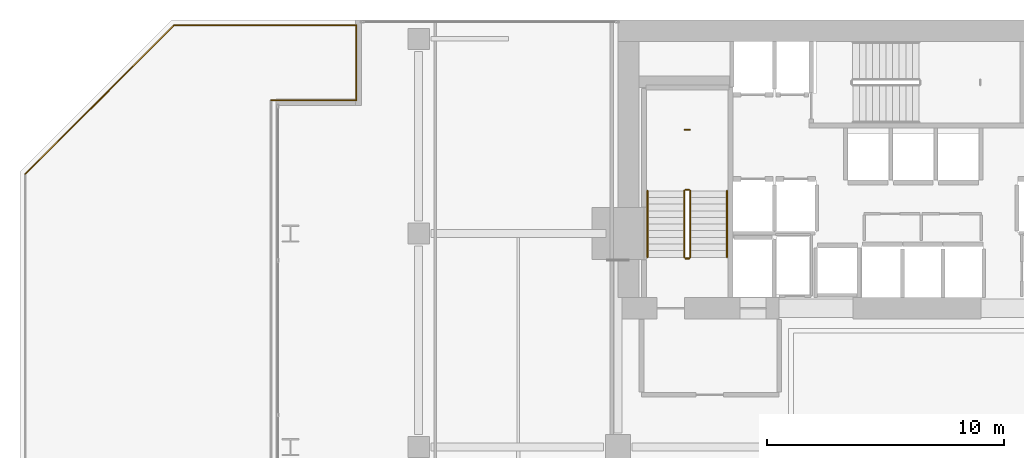
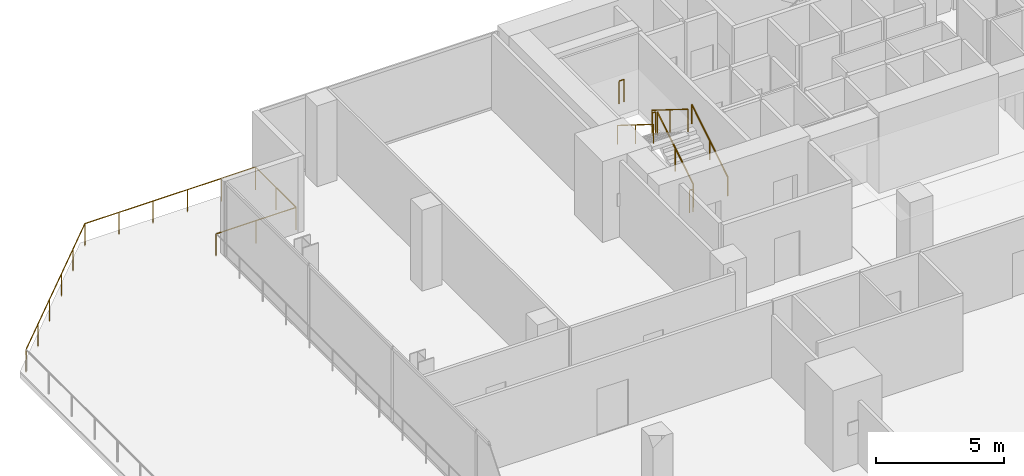
# One storey, part 29 of 31: 11 railings.
"""IFC4 building model written with IfcOpenShell, lengths in metres."""

import ifcopenshell
import ifcopenshell.guid

model = None  # the IFC model being written
_history = None  # IfcOwnerHistory: only IFC2X3 demands one
_inside = {}  # id of a spatial element -> (the spatial element, [elements in it])
_under = {}  # id of a project, library or spatial element -> (it, [spatial elements below it])
_declared = {}  # id of a project -> (the project, [libraries it declares])
_typed = {}  # id of a type object -> (the type object, [elements of that type])
_made_of = {}  # id of a material, layer set ... -> (it, [elements and type objects made of it])


def new_model(schema):
    """Start an empty IFC model of exactly this schema.

    Asked for "IFC4X3", IfcOpenShell would pick the latest addendum, in which some entities
    have other attributes; the version numbers below select the first issue.
    IFC2X3 requires an IfcOwnerHistory on every rooted entity: one is made here for all.
    """
    global model, _history
    if schema == "IFC4X3":
        model = ifcopenshell.file(schema_version=(4, 3, 0, 0))
    else:
        model = ifcopenshell.file(schema=schema)
    _inside.clear()
    _under.clear()
    _declared.clear()
    _typed.clear()
    _made_of.clear()
    _history = None
    if model.schema == "IFC2X3":
        org = make("IfcOrganization", Name="unknown")
        user = make(
            "IfcPersonAndOrganization",
            ThePerson=make("IfcPerson", FamilyName="unknown"),
            TheOrganization=org,
        )
        app = make(
            "IfcApplication",
            ApplicationDeveloper=org,
            Version="unknown",
            ApplicationFullName="unknown",
            ApplicationIdentifier="unknown",
        )
        _history = make(
            "IfcOwnerHistory",
            OwningUser=user,
            OwningApplication=app,
            ChangeAction="ADDED",
            CreationDate=0,
        )
    return model


def make(cls, **values):
    """One entity of the class cls with the attributes given. An attribute that is None is left unset."""
    return model.create_entity(
        cls, **{name: value for name, value in values.items() if value is not None}
    )


def rooted(cls, **values):
    """An entity with a GlobalId (a new one), such as an element, a storey or a relation."""
    return make(cls, GlobalId=ifcopenshell.guid.new(), OwnerHistory=_history, **values)


def si_unit(unit_type, name, prefix=None):
    """IfcSIUnit, for example si_unit("LENGTHUNIT", "METRE", prefix="MILLI")."""
    return make("IfcSIUnit", UnitType=unit_type, Prefix=prefix, Name=name)


def assignment(units):
    """IfcUnitAssignment: the units of a project."""
    return None if units is None else make("IfcUnitAssignment", Units=units)


def point(xyz):
    """IfcCartesianPoint."""
    return None if xyz is None else make("IfcCartesianPoint", Coordinates=xyz)


def direction(xyz):
    """IfcDirection."""
    return None if xyz is None else make("IfcDirection", DirectionRatios=xyz)


def frame(location, z_axis=None, x_axis=None):
    """IfcAxis2Placement3D, a coordinate frame: its origin and axes. An axis left out is left unset."""
    return make(
        "IfcAxis2Placement3D",
        Location=point(location),
        Axis=direction(z_axis),
        RefDirection=direction(x_axis),
    )


def frame_2d(location, x_axis=None):
    """IfcAxis2Placement2D, a coordinate frame in the plane: its origin and x axis."""
    return make(
        "IfcAxis2Placement2D", Location=point(location), RefDirection=direction(x_axis)
    )


def origin():
    """The frame at (0, 0, 0) with its axes left unset."""
    return frame((0.0, 0.0, 0.0))


def origin_2d():
    """The frame at (0, 0) in the plane with its x axis left unset."""
    return frame_2d((0.0, 0.0))


def place(relative_to, where):
    """IfcLocalPlacement: puts the frame where relative to a parent placement (None: the world)."""
    return make(
        "IfcLocalPlacement", PlacementRelTo=relative_to, RelativePlacement=where
    )


def context(
    kind, dimensions, precision=None, world=None, true_north=None, identifier=None
):
    """IfcGeometricRepresentationContext, for example the 3D "Model" context."""
    return make(
        "IfcGeometricRepresentationContext",
        ContextIdentifier=identifier,
        ContextType=kind,
        CoordinateSpaceDimension=dimensions,
        Precision=precision,
        WorldCoordinateSystem=world,
        TrueNorth=true_north,
    )


def subcontext(parent, identifier, kind, view, scale=None):
    """IfcGeometricRepresentationSubContext, for example "Body" below "Model"."""
    return make(
        "IfcGeometricRepresentationSubContext",
        ContextIdentifier=identifier,
        ContextType=kind,
        ParentContext=parent,
        TargetScale=scale,
        TargetView=view,
    )


def project(units=None, contexts=None):
    """IfcProject with its units and contexts."""
    return rooted(
        "IfcProject",
        Name="project",
        RepresentationContexts=contexts,
        UnitsInContext=assignment(units),
    )


def spatial(cls, under=None, at=None, **own):
    """A site, building, storey or space (cls), placed at a placement, below another one or the project."""
    s = rooted(cls, ObjectPlacement=at, **own)
    if under is not None:
        _under.setdefault(under.id(), (under, []))[1].append(s)
    return s


def profile(cls, at=None, kind="AREA", **sizes):
    """A parametric profile (cls). Its sizes go by their IFC names, for example OverallWidth=200.0."""
    return make(cls, ProfileType=kind, Position=at, **sizes)


def circle(**sizes):
    """IfcCircleProfileDef."""
    return profile("IfcCircleProfileDef", **sizes)


def extrude(swept, where, along, depth):
    """IfcExtrudedAreaSolid: the profile swept, set in the frame where, extruded along a direction by depth."""
    return make(
        "IfcExtrudedAreaSolid",
        SweptArea=swept,
        Position=where,
        ExtrudedDirection=direction(along),
        Depth=depth,
    )


def shape(context_of_items, identifier, shape_type, items):
    """IfcShapeRepresentation: the items that make up one representation, for example the "Body"."""
    return make(
        "IfcShapeRepresentation",
        ContextOfItems=context_of_items,
        RepresentationIdentifier=identifier,
        RepresentationType=shape_type,
        Items=items,
    )


def material(Name=None, Category=None):
    """IfcMaterial."""
    return make("IfcMaterial", Name=Name, Category=Category)


def made_of(thing, what):
    """Note that an element or type object is made of a material, layer set ...; save() writes the relation."""
    if what is not None:
        _made_of.setdefault(what.id(), (what, []))[1].append(thing)
    return thing


def type_object(cls, material=None, **own):
    """A type object (cls), such as IfcWallType, which elements share."""
    return made_of(rooted(cls, **own), material)


def element(
    cls,
    number,
    at=None,
    inside=None,
    cuts=None,
    type_object=None,
    material=None,
    context=None,
    identifier="Body",
    shape_type=None,
    held_by="IfcProductDefinitionShape",
    body=None,
    shapes=None,
    **own,
):
    """One element of the class cls, such as IfcWall. Its Tag is "e" and its number.

    at: its placement. inside: the storey or other place that contains it. cuts: it is an
    opening in that element (IfcRelVoidsElement). A single representation is given by context,
    identifier, shape_type and body (its items); several are given by shapes. held_by: the class
    of the entity that holds the representations. save() writes the other relations.
    """
    e = rooted(cls, Tag="e%d" % number, ObjectPlacement=at, **own)
    if body is not None:
        shapes = [shape(context, identifier, shape_type, body)]
    if shapes is not None:
        e.Representation = make(held_by, Representations=shapes)
    if inside is not None:
        _inside.setdefault(inside.id(), (inside, []))[1].append(e)
    if cuts is not None:
        rooted(
            "IfcRelVoidsElement", RelatingBuildingElement=cuts, RelatedOpeningElement=e
        )
    if type_object is not None:
        _typed.setdefault(type_object.id(), (type_object, []))[1].append(e)
    return made_of(e, material)


def aggregate(whole, parts):
    """IfcRelAggregates: a whole, such as a stair, and the parts it consists of."""
    return rooted("IfcRelAggregates", RelatingObject=whole, RelatedObjects=parts)


def save(model, path):
    """Write the relations noted so far, then the file.

    IfcRelAggregates (storeys below a building ...), IfcRelContainedInSpatialStructure (elements
    in a storey), IfcRelDefinesByType, IfcRelAssociatesMaterial and IfcRelDeclares: one each for
    every whole, place, type object, material and project.
    """
    for whole, parts in _under.values():
        aggregate(whole, parts)
    for where, things in _inside.values():
        rooted(
            "IfcRelContainedInSpatialStructure",
            RelatedElements=things,
            RelatingStructure=where,
        )
    for kind, things in _typed.values():
        rooted("IfcRelDefinesByType", RelatedObjects=things, RelatingType=kind)
    for what, things in _made_of.values():
        rooted("IfcRelAssociatesMaterial", RelatedObjects=things, RelatingMaterial=what)
    for by, libraries in _declared.values():
        rooted("IfcRelDeclares", RelatingContext=by, RelatedDefinitions=libraries)
    model.write(path)


model = new_model("IFC4")

# Units and contexts
model_context = context("Model", 3, precision=1e-05, world=origin(), true_north=direction((0.0, 1.0)))
body_context = subcontext(model_context, "Body", "Model", "MODEL_VIEW")
ifc_project = project(units=[si_unit("LENGTHUNIT", "METRE"), si_unit("AREAUNIT", "SQUARE_METRE"), si_unit("VOLUMEUNIT", "CUBIC_METRE"), si_unit("PLANEANGLEUNIT", "RADIAN"), si_unit("MASSUNIT", "GRAM", prefix="KILO")], contexts=[model_context])

# Site, building, storey
site_placement = place(None, origin())
site = spatial("IfcSite", under=ifc_project, at=site_placement, CompositionType="ELEMENT")
building_placement = place(site_placement, origin())
building = spatial("IfcBuilding", under=site, at=building_placement, Name="Maruvema Waterfront Hotel and Observation Tower", CompositionType="ELEMENT")
storey_placement = place(building_placement, frame((0.0, 0.0, 26.949951171875)))
storey = spatial("IfcBuildingStorey", under=building, at=storey_placement, Name="L05", CompositionType="ELEMENT", Elevation=26.949951171875)

# Railings
ifc_material_1 = material(Name="Brushed stainless steel Grade 316", Category="steel")
railing_type_1 = type_object("IfcRailingType", Name="Ramp Continuous Wall Handrail 920 mm", PredefinedType="HANDRAIL", material=ifc_material_1)
railing_1_placement = place(storey_placement, frame((29.800048828125, 44.0, 0.175048828125)))
element("IfcRailing", 1, at=railing_1_placement, inside=storey, type_object=railing_type_1, Name="L05 ST-01 stair handrail 1", PredefinedType="HANDRAIL", context=body_context, shape_type="SweptSolid", body=[
    extrude(circle(Radius=0.02392578125, at=origin_2d()), frame((0.0, 0.0, 0.89599609375), z_axis=(0.0, 0.848002457836, 0.529992293815), x_axis=(-1.0, 0.0, 0.0)), (0.0, 0.0, 1.0), 3.302001953125),
    extrude(circle(Radius=0.02099609375, at=origin_2d()), origin(), (0.0, 0.0, 1.0), 0.871826171875),
    extrude(circle(Radius=0.02099609375, at=origin_2d()), frame((0.0, 1.39990234375, 0.875)), (0.0, 0.0, 1.0), 0.871826171875),
    extrude(circle(Radius=0.02099609375, at=origin_2d()), frame((0.0, 2.800048828125, 1.75)), (0.0, 0.0, 1.0), 0.871826171875),
])
railing_2_placement = place(storey_placement, frame((26.449951171875, 46.800048828125, 2.10009765625)))
element("IfcRailing", 2, at=railing_2_placement, inside=storey, type_object=railing_type_1, Name="L05 ST-01 stair handrail 2", PredefinedType="HANDRAIL", context=body_context, shape_type="SweptSolid", body=[
    extrude(circle(Radius=0.02392578125, at=origin_2d()), frame((0.0, 0.0, 0.89599609375), z_axis=(0.0, -0.848002457836, 0.529992293815), x_axis=(1.0, 0.0, 0.0)), (0.0, 0.0, 1.0), 3.302001953125),
    extrude(circle(Radius=0.02099609375, at=origin_2d()), origin(), (0.0, 0.0, 1.0), 0.871826171875),
    extrude(circle(Radius=0.02099609375, at=origin_2d()), frame((0.0, -1.39990234375, 0.875)), (0.0, 0.0, 1.0), 0.871826171875),
    extrude(circle(Radius=0.02099609375, at=origin_2d()), frame((0.0, -2.800048828125, 1.75)), (0.0, 0.0, 1.0), 0.871826171875),
])
ifc_material_2 = material(Name="Brushed stainless steel Grade 316", Category="steel")
railing_type_2 = type_object("IfcRailingType", Name="Ramp and Terrace Guard Balustrade 1100 mm", PredefinedType="BALUSTRADE", material=ifc_material_2)
railing_3_placement = place(storey_placement, frame((28.25, 44.0, 0.175048828125)))
element("IfcRailing", 3, at=railing_3_placement, inside=storey, type_object=railing_type_2, Name="L05 ST-01 stair guard 1", PredefinedType="BALUSTRADE", context=body_context, shape_type="SweptSolid", body=[
    extrude(circle(Radius=0.02392578125, at=origin_2d()), frame((0.0, 0.0, 1.076171875), z_axis=(0.0, 0.848002457836, 0.529992293815), x_axis=(-1.0, 0.0, 0.0)), (0.0, 0.0, 1.0), 3.302001953125),
    extrude(circle(Radius=0.02099609375, at=origin_2d()), origin(), (0.0, 0.0, 1.0), 1.052001953125),
    extrude(circle(Radius=0.02099609375, at=origin_2d()), frame((0.0, 1.39990234375, 0.875)), (0.0, 0.0, 1.0), 1.052001953125),
    extrude(circle(Radius=0.02099609375, at=origin_2d()), frame((0.0, 2.800048828125, 1.75)), (0.0, 0.0, 1.0), 1.052001953125),
])
railing_4_placement = place(storey_placement, frame((28.199951171875, 46.85009765625, 1.925048828125)))
element("IfcRailing", 4, at=railing_4_placement, inside=storey, type_object=railing_type_2, Name="L05 ST-01 stair guard 2", PredefinedType="BALUSTRADE", context=body_context, shape_type="SweptSolid", body=[
    extrude(circle(Radius=0.02392578125, at=origin_2d()), frame((0.0, 0.0, 1.076171875), z_axis=(-1.0, 0.0, 0.0), x_axis=(0.0, -1.0, 0.0)), (0.0, 0.0, 1.0), 0.14990234375),
    extrude(circle(Radius=0.02099609375, at=origin_2d()), origin(), (0.0, 0.0, 1.0), 1.052001953125),
    extrude(circle(Radius=0.02099609375, at=origin_2d()), frame((-0.14990234375, 0.0, 0.0)), (0.0, 0.0, 1.0), 1.052001953125),
])
railing_5_placement = place(storey_placement, frame((28.0, 46.800048828125, 2.10009765625)))
element("IfcRailing", 5, at=railing_5_placement, inside=storey, type_object=railing_type_2, Name="L05 ST-01 stair guard 3", PredefinedType="BALUSTRADE", context=body_context, shape_type="SweptSolid", body=[
    extrude(circle(Radius=0.02392578125, at=origin_2d()), frame((0.0, 0.0, 1.076171875), z_axis=(0.0, -0.848002457836, 0.529992293815), x_axis=(1.0, 0.0, 0.0)), (0.0, 0.0, 1.0), 3.302001953125),
    extrude(circle(Radius=0.02099609375, at=origin_2d()), origin(), (0.0, 0.0, 1.0), 1.052001953125),
    extrude(circle(Radius=0.02099609375, at=origin_2d()), frame((0.0, -1.39990234375, 0.875)), (0.0, 0.0, 1.0), 1.052001953125),
    extrude(circle(Radius=0.02099609375, at=origin_2d()), frame((0.0, -2.800048828125, 1.75)), (0.0, 0.0, 1.0), 1.052001953125),
])
railing_6_placement = place(storey_placement, frame((28.199951171875, 43.949951171875, 0.0)))
element("IfcRailing", 6, at=railing_6_placement, inside=storey, type_object=railing_type_2, Name="L05 ST-01 stair guard 4", PredefinedType="BALUSTRADE", context=body_context, shape_type="SweptSolid", body=[
    extrude(circle(Radius=0.02392578125, at=origin_2d()), frame((0.0, 0.0, 1.076171875), z_axis=(-1.0, 0.0, 0.0), x_axis=(0.0, -1.0, 0.0)), (0.0, 0.0, 1.0), 0.14990234375),
    extrude(circle(Radius=0.02099609375, at=origin_2d()), origin(), (0.0, 0.0, 1.0), 1.052001953125),
    extrude(circle(Radius=0.02099609375, at=origin_2d()), frame((-0.14990234375, 0.0, 0.0)), (0.0, 0.0, 1.0), 1.052001953125),
])
railing_7_placement = place(storey_placement, frame((28.239990234375, 49.3798828125, 1.925048828125)))
element("IfcRailing", 7, at=railing_7_placement, inside=storey, type_object=railing_type_2, Name="L05 ST-01 Half-Landing Slot Guard", PredefinedType="BALUSTRADE", context=body_context, shape_type="SweptSolid", body=[
    extrude(circle(Radius=0.02392578125, at=origin_2d()), frame((0.0, 0.0, 1.076171875), z_axis=(-1.0, 0.0, 0.0), x_axis=(0.0, -1.0, 0.0)), (0.0, 0.0, 1.0), 0.22998046875),
    extrude(circle(Radius=0.02099609375, at=origin_2d()), origin(), (0.0, 0.0, 1.0), 1.052001953125),
    extrude(circle(Radius=0.02099609375, at=origin_2d()), frame((-0.22998046875, 0.0, 0.0)), (0.0, 0.0, 1.0), 1.052001953125),
])
railing_8_placement = place(storey_placement, frame((0.219970703125, 47.5087890625, 0.0)))
element("IfcRailing", 8, at=railing_8_placement, inside=storey, type_object=railing_type_2, Name="L05 Perimeter Safety Balustrade 3", PredefinedType="BALUSTRADE", context=body_context, shape_type="SweptSolid", body=[
    extrude(circle(Radius=0.02392578125, at=origin_2d()), frame((0.0, 0.0, 1.076171875), z_axis=(0.707106781187, 0.707106781187, 0.0), x_axis=(-0.707106781187, 0.707106781187, 0.0)), (0.0, 0.0, 1.0), 8.868896484375),
    extrude(circle(Radius=0.02099609375, at=origin_2d()), origin(), (0.0, 0.0, 1.0), 1.052001953125),
    extrude(circle(Radius=0.02099609375, at=origin_2d()), frame((1.254150390625, 1.254150390625, 0.0)), (0.0, 0.0, 1.0), 1.052001953125),
    extrude(circle(Radius=0.02099609375, at=origin_2d()), frame((2.508544921875, 2.508544921875, 0.0)), (0.0, 0.0, 1.0), 1.052001953125),
    extrude(circle(Radius=0.02099609375, at=origin_2d()), frame((3.7626953125, 3.7626953125, 0.0)), (0.0, 0.0, 1.0), 1.052001953125),
    extrude(circle(Radius=0.02099609375, at=origin_2d()), frame((5.01708984375, 5.01708984375, 0.0)), (0.0, 0.0, 1.0), 1.052001953125),
    extrude(circle(Radius=0.02099609375, at=origin_2d()), frame((6.271240234375, 6.271240234375, 0.0)), (0.0, 0.0, 1.0), 1.052001953125),
])
railing_9_placement = place(storey_placement, frame((6.4912109375, 53.780029296875, 0.0)))
element("IfcRailing", 9, at=railing_9_placement, inside=storey, type_object=railing_type_2, Name="L05 Perimeter Safety Balustrade 4", PredefinedType="BALUSTRADE", context=body_context, shape_type="SweptSolid", body=[
    extrude(circle(Radius=0.02392578125, at=origin_2d()), frame((0.0, 0.0, 1.076171875), z_axis=(1.0, 0.0, 0.0), x_axis=(0.0, 1.0, 0.0)), (0.0, 0.0, 1.0), 7.688720703125),
    extrude(circle(Radius=0.02099609375, at=origin_2d()), origin(), (0.0, 0.0, 1.0), 1.052001953125),
    extrude(circle(Radius=0.02099609375, at=origin_2d()), frame((1.537841796875, 0.0, 0.0)), (0.0, 0.0, 1.0), 1.052001953125),
    extrude(circle(Radius=0.02099609375, at=origin_2d()), frame((3.075439453125, 0.0, 0.0)), (0.0, 0.0, 1.0), 1.052001953125),
    extrude(circle(Radius=0.02099609375, at=origin_2d()), frame((4.61328125, 0.0, 0.0)), (0.0, 0.0, 1.0), 1.052001953125),
    extrude(circle(Radius=0.02099609375, at=origin_2d()), frame((6.15087890625, 0.0, 0.0)), (0.0, 0.0, 1.0), 1.052001953125),
    extrude(circle(Radius=0.02099609375, at=origin_2d()), frame((7.688720703125, 0.0, 0.0)), (0.0, 0.0, 1.0), 1.052001953125),
])
railing_10_placement = place(storey_placement, frame((14.179931640625, 53.780029296875, 0.0)))
element("IfcRailing", 10, at=railing_10_placement, inside=storey, type_object=railing_type_2, Name="L05 Perimeter Safety Balustrade 5", PredefinedType="BALUSTRADE", context=body_context, shape_type="SweptSolid", body=[
    extrude(circle(Radius=0.02392578125, at=origin_2d()), frame((0.0, 0.0, 1.076171875), z_axis=(0.0, -1.0, 0.0), x_axis=(1.0, 0.0, 0.0)), (0.0, 0.0, 1.0), 3.159912109375),
    extrude(circle(Radius=0.02099609375, at=origin_2d()), origin(), (0.0, 0.0, 1.0), 1.052001953125),
    extrude(circle(Radius=0.02099609375, at=origin_2d()), frame((0.0, -1.580078125, 0.0)), (0.0, 0.0, 1.0), 1.052001953125),
    extrude(circle(Radius=0.02099609375, at=origin_2d()), frame((0.0, -3.159912109375, 0.0)), (0.0, 0.0, 1.0), 1.052001953125),
])
railing_11_placement = place(storey_placement, frame((14.179931640625, 50.6201171875, 0.0)))
element("IfcRailing", 11, at=railing_11_placement, inside=storey, type_object=railing_type_2, Name="L05 Perimeter Safety Balustrade 6", PredefinedType="BALUSTRADE", context=body_context, shape_type="SweptSolid", body=[
    extrude(circle(Radius=0.02392578125, at=origin_2d()), frame((0.0, 0.0, 1.076171875), z_axis=(-1.0, 0.0, 0.0), x_axis=(0.0, -1.0, 0.0)), (0.0, 0.0, 1.0), 3.599853515625),
    extrude(circle(Radius=0.02099609375, at=origin_2d()), origin(), (0.0, 0.0, 1.0), 1.052001953125),
    extrude(circle(Radius=0.02099609375, at=origin_2d()), frame((-1.7998046875, 0.0, 0.0)), (0.0, 0.0, 1.0), 1.052001953125),
    extrude(circle(Radius=0.02099609375, at=origin_2d()), frame((-3.599853515625, 0.0, 0.0)), (0.0, 0.0, 1.0), 1.052001953125),
])

save(model, "model.ifc")
